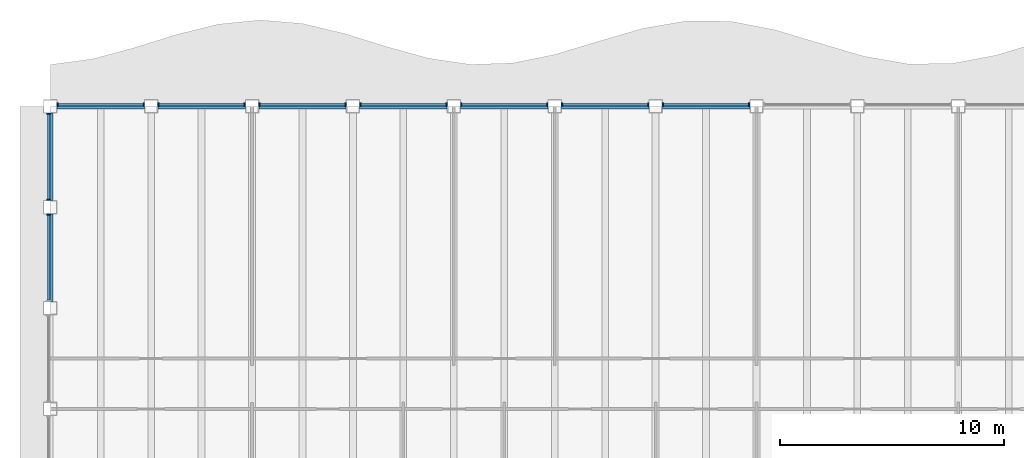
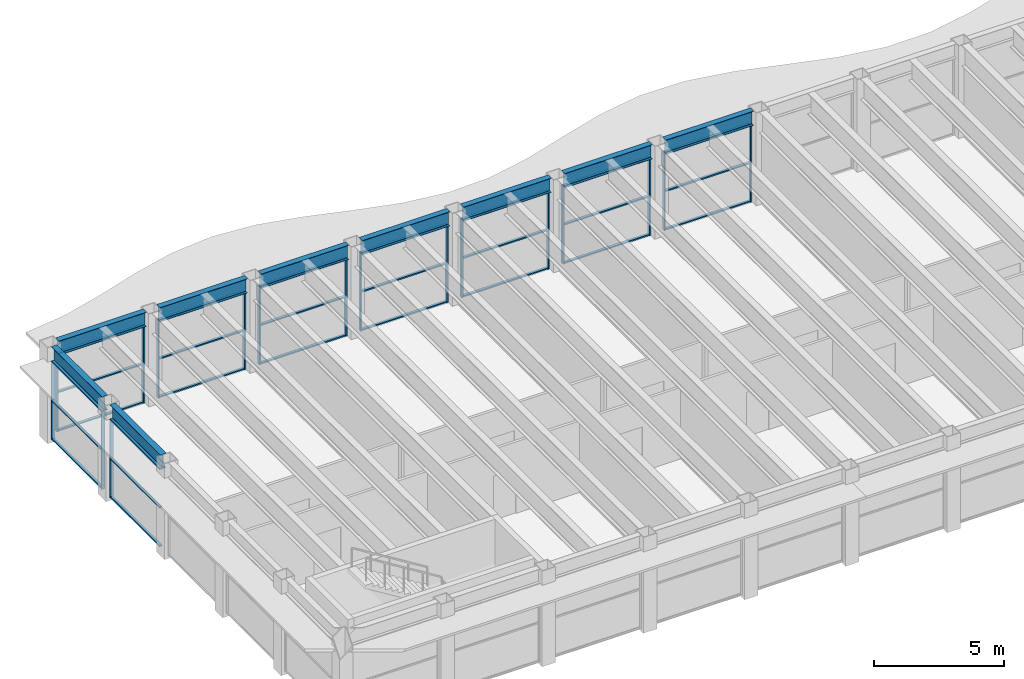
# One storey, part 4 of 14: 44 members, 9 beams, 9 elements without a shape of their own.
"""IFC4 building model written with IfcOpenShell, lengths in metres."""

from ifc_helpers import new_model, si_unit, direction, frame, origin, origin_2d, place, context, subcontext, project, spatial, rectangle, i_section, extrude, material, material_profile, profile_set, type_object, element, aggregate, save


model = new_model("IFC4")

# Units and contexts
model_context = context("Model", 3, precision=1e-05, world=origin(), true_north=direction((0.0, 1.0)))
body_context = subcontext(model_context, "Body", "Model", "MODEL_VIEW")
ifc_project = project(units=[si_unit("LENGTHUNIT", "METRE"), si_unit("AREAUNIT", "SQUARE_METRE"), si_unit("VOLUMEUNIT", "CUBIC_METRE"), si_unit("PLANEANGLEUNIT", "RADIAN"), si_unit("MASSUNIT", "GRAM", prefix="KILO")], contexts=[model_context])

# Site, building, storey
site_placement = place(None, origin())
site = spatial("IfcSite", under=ifc_project, at=site_placement, CompositionType="ELEMENT")
building_placement = place(site_placement, origin())
building = spatial("IfcBuilding", under=site, at=building_placement, Name="Sennacour Bend Tower", CompositionType="ELEMENT")
storey_placement = place(building_placement, frame((0.0, 0.0, 327.5)))
storey = spatial("IfcBuildingStorey", under=building, at=storey_placement, Name="L75", CompositionType="ELEMENT", Elevation=327.5)

# Curtain wall, members
ifc_material_1 = material(Name="Bronze anodised aluminium curtain wall with clear glass", Category="aluminium")
curtain_wall_type = type_object("IfcCurtainWallType", Name="CURTAIN WALL EXEC", PredefinedType="NOTDEFINED", material=ifc_material_1)
curtain_wall_1_placement = place(storey_placement, origin())
curtain_wall_1 = element("IfcCurtainWall", 1, at=curtain_wall_1_placement, inside=storey, type_object=curtain_wall_type, Name="Executive floor glass wall L75", PredefinedType="NOTDEFINED")
ifc_material_2 = material(Name="Aluminium 6063-T6", Category="aluminium")
ifc_material_profile_1 = material_profile(ifc_material_2, rectangle(XDim=0.14990234375, YDim=0.06005859375, at=origin_2d()), Name="Aluminium 6063-T6", Category="aluminium")
ifc_profile_set_1 = profile_set([ifc_material_profile_1], Name="Aluminium 6063-T6")
member_type_1 = type_object("IfcMemberType", Name="CW-MULLION-150X60", PredefinedType="MULLION", material=ifc_profile_set_1)
member_1_placement = place(storey_placement, frame((31.169921875, 22.574951171875, 0.0), z_axis=(0.0, 0.0, 1.0), x_axis=(0.0, -1.0, 0.0)))
member_1 = element("IfcMember", 2, at=member_1_placement, type_object=member_type_1, Name="GW3 curtain wall mullion 1", PredefinedType="MULLION", context=body_context, shape_type="SweptSolid", body=[
    extrude(rectangle(XDim=0.14990234375, YDim=0.06005859375, at=origin_2d()), origin(), (0.0, 0.0, 1.0), 3.672119140625),
])
member_2_placement = place(storey_placement, frame((27.330078125, 22.574951171875, 0.0), z_axis=(0.0, 0.0, 1.0), x_axis=(0.0, -1.0, 0.0)))
member_2 = element("IfcMember", 3, at=member_2_placement, type_object=member_type_1, Name="GW3 curtain wall mullion 2", PredefinedType="MULLION", context=body_context, shape_type="SweptSolid", body=[
    extrude(rectangle(XDim=0.14990234375, YDim=0.06005859375, at=origin_2d()), origin(), (0.0, 0.0, 1.0), 3.672119140625),
])

curtain_wall_2_placement = place(storey_placement, origin())
curtain_wall_2 = element("IfcCurtainWall", 4, at=curtain_wall_2_placement, inside=storey, type_object=curtain_wall_type, Name="Executive floor glass wall L75", PredefinedType="NOTDEFINED")
member_3_placement = place(storey_placement, frame((26.669921875, 22.574951171875, 0.0), z_axis=(0.0, 0.0, 1.0), x_axis=(0.0, -1.0, 0.0)))
member_3 = element("IfcMember", 5, at=member_3_placement, type_object=member_type_1, Name="GW3 curtain wall mullion 1", PredefinedType="MULLION", context=body_context, shape_type="SweptSolid", body=[
    extrude(rectangle(XDim=0.14990234375, YDim=0.06005859375, at=origin_2d()), origin(), (0.0, 0.0, 1.0), 3.672119140625),
])
member_4_placement = place(storey_placement, frame((22.830078125, 22.574951171875, 0.0), z_axis=(0.0, 0.0, 1.0), x_axis=(0.0, -1.0, 0.0)))
member_4 = element("IfcMember", 6, at=member_4_placement, type_object=member_type_1, Name="GW3 curtain wall mullion 2", PredefinedType="MULLION", context=body_context, shape_type="SweptSolid", body=[
    extrude(rectangle(XDim=0.14990234375, YDim=0.06005859375, at=origin_2d()), origin(), (0.0, 0.0, 1.0), 3.672119140625),
])

curtain_wall_3_placement = place(storey_placement, origin())
curtain_wall_3 = element("IfcCurtainWall", 7, at=curtain_wall_3_placement, inside=storey, type_object=curtain_wall_type, Name="Executive floor glass wall L75", PredefinedType="NOTDEFINED")
member_5_placement = place(storey_placement, frame((22.169921875, 22.574951171875, 0.0), z_axis=(0.0, 0.0, 1.0), x_axis=(0.0, -1.0, 0.0)))
member_5 = element("IfcMember", 8, at=member_5_placement, type_object=member_type_1, Name="GW3 curtain wall mullion 1", PredefinedType="MULLION", context=body_context, shape_type="SweptSolid", body=[
    extrude(rectangle(XDim=0.14990234375, YDim=0.06005859375, at=origin_2d()), origin(), (0.0, 0.0, 1.0), 3.672119140625),
])
member_6_placement = place(storey_placement, frame((18.330078125, 22.574951171875, 0.0), z_axis=(0.0, 0.0, 1.0), x_axis=(0.0, -1.0, 0.0)))
member_6 = element("IfcMember", 9, at=member_6_placement, type_object=member_type_1, Name="GW3 curtain wall mullion 2", PredefinedType="MULLION", context=body_context, shape_type="SweptSolid", body=[
    extrude(rectangle(XDim=0.14990234375, YDim=0.06005859375, at=origin_2d()), origin(), (0.0, 0.0, 1.0), 3.672119140625),
])

curtain_wall_4_placement = place(storey_placement, origin())
curtain_wall_4 = element("IfcCurtainWall", 10, at=curtain_wall_4_placement, inside=storey, type_object=curtain_wall_type, Name="Executive floor glass wall L75", PredefinedType="NOTDEFINED")
member_7_placement = place(storey_placement, frame((17.669921875, 22.574951171875, 0.0), z_axis=(0.0, 0.0, 1.0), x_axis=(0.0, -1.0, 0.0)))
member_7 = element("IfcMember", 11, at=member_7_placement, type_object=member_type_1, Name="GW3 curtain wall mullion 1", PredefinedType="MULLION", context=body_context, shape_type="SweptSolid", body=[
    extrude(rectangle(XDim=0.14990234375, YDim=0.06005859375, at=origin_2d()), origin(), (0.0, 0.0, 1.0), 3.672119140625),
])
member_8_placement = place(storey_placement, frame((13.830078125, 22.574951171875, 0.0), z_axis=(0.0, 0.0, 1.0), x_axis=(0.0, -1.0, 0.0)))
member_8 = element("IfcMember", 12, at=member_8_placement, type_object=member_type_1, Name="GW3 curtain wall mullion 2", PredefinedType="MULLION", context=body_context, shape_type="SweptSolid", body=[
    extrude(rectangle(XDim=0.14990234375, YDim=0.06005859375, at=origin_2d()), origin(), (0.0, 0.0, 1.0), 3.672119140625),
])

curtain_wall_5_placement = place(storey_placement, origin())
curtain_wall_5 = element("IfcCurtainWall", 13, at=curtain_wall_5_placement, inside=storey, type_object=curtain_wall_type, Name="Executive floor glass wall L75", PredefinedType="NOTDEFINED")
member_9_placement = place(storey_placement, frame((13.169921875, 22.574951171875, 0.0), z_axis=(0.0, 0.0, 1.0), x_axis=(0.0, -1.0, 0.0)))
member_9 = element("IfcMember", 14, at=member_9_placement, type_object=member_type_1, Name="GW3 curtain wall mullion 1", PredefinedType="MULLION", context=body_context, shape_type="SweptSolid", body=[
    extrude(rectangle(XDim=0.14990234375, YDim=0.06005859375, at=origin_2d()), origin(), (0.0, 0.0, 1.0), 3.672119140625),
])
member_10_placement = place(storey_placement, frame((9.330078125, 22.574951171875, 0.0), z_axis=(0.0, 0.0, 1.0), x_axis=(0.0, -1.0, 0.0)))
member_10 = element("IfcMember", 15, at=member_10_placement, type_object=member_type_1, Name="GW3 curtain wall mullion 2", PredefinedType="MULLION", context=body_context, shape_type="SweptSolid", body=[
    extrude(rectangle(XDim=0.14990234375, YDim=0.06005859375, at=origin_2d()), origin(), (0.0, 0.0, 1.0), 3.672119140625),
])

curtain_wall_6_placement = place(storey_placement, origin())
curtain_wall_6 = element("IfcCurtainWall", 16, at=curtain_wall_6_placement, inside=storey, type_object=curtain_wall_type, Name="Executive floor glass wall L75", PredefinedType="NOTDEFINED")
member_11_placement = place(storey_placement, frame((8.669921875, 22.574951171875, 0.0), z_axis=(0.0, 0.0, 1.0), x_axis=(0.0, -1.0, 0.0)))
member_11 = element("IfcMember", 17, at=member_11_placement, type_object=member_type_1, Name="GW3 curtain wall mullion 1", PredefinedType="MULLION", context=body_context, shape_type="SweptSolid", body=[
    extrude(rectangle(XDim=0.14990234375, YDim=0.06005859375, at=origin_2d()), origin(), (0.0, 0.0, 1.0), 3.672119140625),
])
member_12_placement = place(storey_placement, frame((4.830078125, 22.574951171875, 0.0), z_axis=(0.0, 0.0, 1.0), x_axis=(0.0, -1.0, 0.0)))
member_12 = element("IfcMember", 18, at=member_12_placement, type_object=member_type_1, Name="GW3 curtain wall mullion 2", PredefinedType="MULLION", context=body_context, shape_type="SweptSolid", body=[
    extrude(rectangle(XDim=0.14990234375, YDim=0.06005859375, at=origin_2d()), origin(), (0.0, 0.0, 1.0), 3.672119140625),
])

curtain_wall_7_placement = place(storey_placement, origin())
curtain_wall_7 = element("IfcCurtainWall", 19, at=curtain_wall_7_placement, inside=storey, type_object=curtain_wall_type, Name="Executive floor glass wall L75", PredefinedType="NOTDEFINED")
member_13_placement = place(storey_placement, frame((4.169921875, 22.574951171875, 0.0), z_axis=(0.0, 0.0, 1.0), x_axis=(0.0, -1.0, 0.0)))
member_13 = element("IfcMember", 20, at=member_13_placement, type_object=member_type_1, Name="GW3 curtain wall mullion 1", PredefinedType="MULLION", context=body_context, shape_type="SweptSolid", body=[
    extrude(rectangle(XDim=0.14990234375, YDim=0.06005859375, at=origin_2d()), origin(), (0.0, 0.0, 1.0), 3.672119140625),
])
member_14_placement = place(storey_placement, frame((0.330078125, 22.574951171875, 0.0), z_axis=(0.0, 0.0, 1.0), x_axis=(0.0, -1.0, 0.0)))
member_14 = element("IfcMember", 21, at=member_14_placement, type_object=member_type_1, Name="GW3 curtain wall mullion 2", PredefinedType="MULLION", context=body_context, shape_type="SweptSolid", body=[
    extrude(rectangle(XDim=0.14990234375, YDim=0.06005859375, at=origin_2d()), origin(), (0.0, 0.0, 1.0), 3.672119140625),
])

curtain_wall_8_placement = place(storey_placement, origin())
curtain_wall_8 = element("IfcCurtainWall", 22, at=curtain_wall_8_placement, inside=storey, type_object=curtain_wall_type, Name="Executive floor glass wall L75", PredefinedType="NOTDEFINED")
member_15_placement = place(storey_placement, frame((-0.074951171875, 22.169921875, 0.0), z_axis=(0.0, 0.0, 1.0), x_axis=(1.0, 0.0, 0.0)))
member_15 = element("IfcMember", 23, at=member_15_placement, type_object=member_type_1, Name="GW3 curtain wall mullion 1", PredefinedType="MULLION", context=body_context, shape_type="SweptSolid", body=[
    extrude(rectangle(XDim=0.14990234375, YDim=0.06005859375, at=origin_2d()), origin(), (0.0, 0.0, 1.0), 3.672119140625),
])
member_16_placement = place(storey_placement, frame((-0.074951171875, 18.330078125, 0.0), z_axis=(0.0, 0.0, 1.0), x_axis=(1.0, 0.0, 0.0)))
member_16 = element("IfcMember", 24, at=member_16_placement, type_object=member_type_1, Name="GW3 curtain wall mullion 2", PredefinedType="MULLION", context=body_context, shape_type="SweptSolid", body=[
    extrude(rectangle(XDim=0.14990234375, YDim=0.06005859375, at=origin_2d()), origin(), (0.0, 0.0, 1.0), 3.672119140625),
])

# Curtain wall, member
curtain_wall_9_placement = place(storey_placement, origin())
curtain_wall_9 = element("IfcCurtainWall", 25, at=curtain_wall_9_placement, inside=storey, type_object=curtain_wall_type, Name="Executive floor glass wall L75", PredefinedType="NOTDEFINED")
member_17_placement = place(storey_placement, frame((-0.074951171875, 17.669921875, 0.0), z_axis=(0.0, 0.0, 1.0), x_axis=(1.0, 0.0, 0.0)))
member_17 = element("IfcMember", 26, at=member_17_placement, type_object=member_type_1, Name="GW3 curtain wall mullion 1", PredefinedType="MULLION", context=body_context, shape_type="SweptSolid", body=[
    extrude(rectangle(XDim=0.14990234375, YDim=0.06005859375, at=origin_2d()), origin(), (0.0, 0.0, 1.0), 3.672119140625),
])

# Member
ifc_material_profile_2 = material_profile(ifc_material_2, rectangle(XDim=0.1201171875, YDim=0.06005859375, at=origin_2d()), Name="Aluminium 6063-T6", Category="aluminium")
ifc_profile_set_2 = profile_set([ifc_material_profile_2], Name="Aluminium 6063-T6")
member_type_2 = type_object("IfcMemberType", Name="CW-TRANSOM-120X60", PredefinedType="USERDEFINED", material=ifc_profile_set_2)
member_18_placement = place(storey_placement, frame((31.139892578125, 22.574951171875, 0.030029296875), z_axis=(-1.0, 0.0, 0.0), x_axis=(0.0, -1.0, 0.0)))
member_18 = element("IfcMember", 27, at=member_18_placement, type_object=member_type_2, Name="GW3 curtain wall transom 1.1", ObjectType="TRANSOM", PredefinedType="USERDEFINED", context=body_context, shape_type="SweptSolid", body=[
    extrude(rectangle(XDim=0.1201171875, YDim=0.06005859375, at=origin_2d()), origin(), (0.0, 0.0, 1.0), 3.77978515625),
])

member_19_placement = place(storey_placement, frame((31.139892578125, 22.574951171875, 1.8359375), z_axis=(-1.0, 0.0, 0.0), x_axis=(0.0, -1.0, 0.0)))
member_19 = element("IfcMember", 28, at=member_19_placement, type_object=member_type_2, Name="GW3 curtain wall transom 1.2", ObjectType="TRANSOM", PredefinedType="USERDEFINED", context=body_context, shape_type="SweptSolid", body=[
    extrude(rectangle(XDim=0.1201171875, YDim=0.06005859375, at=origin_2d()), origin(), (0.0, 0.0, 1.0), 3.77978515625),
])

member_20_placement = place(storey_placement, frame((31.139892578125, 22.574951171875, 3.64208984375), z_axis=(-1.0, 0.0, 0.0), x_axis=(0.0, -1.0, 0.0)))
member_20 = element("IfcMember", 29, at=member_20_placement, type_object=member_type_2, Name="GW3 curtain wall transom 1.3", ObjectType="TRANSOM", PredefinedType="USERDEFINED", context=body_context, shape_type="SweptSolid", body=[
    extrude(rectangle(XDim=0.1201171875, YDim=0.06005859375, at=origin_2d()), origin(), (0.0, 0.0, 1.0), 3.77978515625),
])

aggregate(curtain_wall_1, [member_1, member_2, member_18, member_19, member_20])

member_21_placement = place(storey_placement, frame((26.639892578125, 22.574951171875, 0.030029296875), z_axis=(-1.0, 0.0, 0.0), x_axis=(0.0, -1.0, 0.0)))
member_21 = element("IfcMember", 30, at=member_21_placement, type_object=member_type_2, Name="GW3 curtain wall transom 1.1", ObjectType="TRANSOM", PredefinedType="USERDEFINED", context=body_context, shape_type="SweptSolid", body=[
    extrude(rectangle(XDim=0.1201171875, YDim=0.06005859375, at=origin_2d()), origin(), (0.0, 0.0, 1.0), 3.77978515625),
])

member_22_placement = place(storey_placement, frame((26.639892578125, 22.574951171875, 1.8359375), z_axis=(-1.0, 0.0, 0.0), x_axis=(0.0, -1.0, 0.0)))
member_22 = element("IfcMember", 31, at=member_22_placement, type_object=member_type_2, Name="GW3 curtain wall transom 1.2", ObjectType="TRANSOM", PredefinedType="USERDEFINED", context=body_context, shape_type="SweptSolid", body=[
    extrude(rectangle(XDim=0.1201171875, YDim=0.06005859375, at=origin_2d()), origin(), (0.0, 0.0, 1.0), 3.77978515625),
])

member_23_placement = place(storey_placement, frame((26.639892578125, 22.574951171875, 3.64208984375), z_axis=(-1.0, 0.0, 0.0), x_axis=(0.0, -1.0, 0.0)))
member_23 = element("IfcMember", 32, at=member_23_placement, type_object=member_type_2, Name="GW3 curtain wall transom 1.3", ObjectType="TRANSOM", PredefinedType="USERDEFINED", context=body_context, shape_type="SweptSolid", body=[
    extrude(rectangle(XDim=0.1201171875, YDim=0.06005859375, at=origin_2d()), origin(), (0.0, 0.0, 1.0), 3.77978515625),
])

aggregate(curtain_wall_2, [member_3, member_4, member_21, member_22, member_23])

member_24_placement = place(storey_placement, frame((22.139892578125, 22.574951171875, 0.030029296875), z_axis=(-1.0, 0.0, 0.0), x_axis=(0.0, -1.0, 0.0)))
member_24 = element("IfcMember", 33, at=member_24_placement, type_object=member_type_2, Name="GW3 curtain wall transom 1.1", ObjectType="TRANSOM", PredefinedType="USERDEFINED", context=body_context, shape_type="SweptSolid", body=[
    extrude(rectangle(XDim=0.1201171875, YDim=0.06005859375, at=origin_2d()), origin(), (0.0, 0.0, 1.0), 3.77978515625),
])

member_25_placement = place(storey_placement, frame((22.139892578125, 22.574951171875, 1.8359375), z_axis=(-1.0, 0.0, 0.0), x_axis=(0.0, -1.0, 0.0)))
member_25 = element("IfcMember", 34, at=member_25_placement, type_object=member_type_2, Name="GW3 curtain wall transom 1.2", ObjectType="TRANSOM", PredefinedType="USERDEFINED", context=body_context, shape_type="SweptSolid", body=[
    extrude(rectangle(XDim=0.1201171875, YDim=0.06005859375, at=origin_2d()), origin(), (0.0, 0.0, 1.0), 3.77978515625),
])

member_26_placement = place(storey_placement, frame((22.139892578125, 22.574951171875, 3.64208984375), z_axis=(-1.0, 0.0, 0.0), x_axis=(0.0, -1.0, 0.0)))
member_26 = element("IfcMember", 35, at=member_26_placement, type_object=member_type_2, Name="GW3 curtain wall transom 1.3", ObjectType="TRANSOM", PredefinedType="USERDEFINED", context=body_context, shape_type="SweptSolid", body=[
    extrude(rectangle(XDim=0.1201171875, YDim=0.06005859375, at=origin_2d()), origin(), (0.0, 0.0, 1.0), 3.77978515625),
])

aggregate(curtain_wall_3, [member_5, member_6, member_24, member_25, member_26])

member_27_placement = place(storey_placement, frame((17.639892578125, 22.574951171875, 0.030029296875), z_axis=(-1.0, 0.0, 0.0), x_axis=(0.0, -1.0, 0.0)))
member_27 = element("IfcMember", 36, at=member_27_placement, type_object=member_type_2, Name="GW3 curtain wall transom 1.1", ObjectType="TRANSOM", PredefinedType="USERDEFINED", context=body_context, shape_type="SweptSolid", body=[
    extrude(rectangle(XDim=0.1201171875, YDim=0.06005859375, at=origin_2d()), origin(), (0.0, 0.0, 1.0), 3.77978515625),
])

member_28_placement = place(storey_placement, frame((17.639892578125, 22.574951171875, 1.8359375), z_axis=(-1.0, 0.0, 0.0), x_axis=(0.0, -1.0, 0.0)))
member_28 = element("IfcMember", 37, at=member_28_placement, type_object=member_type_2, Name="GW3 curtain wall transom 1.2", ObjectType="TRANSOM", PredefinedType="USERDEFINED", context=body_context, shape_type="SweptSolid", body=[
    extrude(rectangle(XDim=0.1201171875, YDim=0.06005859375, at=origin_2d()), origin(), (0.0, 0.0, 1.0), 3.77978515625),
])

member_29_placement = place(storey_placement, frame((17.639892578125, 22.574951171875, 3.64208984375), z_axis=(-1.0, 0.0, 0.0), x_axis=(0.0, -1.0, 0.0)))
member_29 = element("IfcMember", 38, at=member_29_placement, type_object=member_type_2, Name="GW3 curtain wall transom 1.3", ObjectType="TRANSOM", PredefinedType="USERDEFINED", context=body_context, shape_type="SweptSolid", body=[
    extrude(rectangle(XDim=0.1201171875, YDim=0.06005859375, at=origin_2d()), origin(), (0.0, 0.0, 1.0), 3.77978515625),
])

aggregate(curtain_wall_4, [member_7, member_8, member_27, member_28, member_29])

member_30_placement = place(storey_placement, frame((13.139892578125, 22.574951171875, 0.030029296875), z_axis=(-1.0, 0.0, 0.0), x_axis=(0.0, -1.0, 0.0)))
member_30 = element("IfcMember", 39, at=member_30_placement, type_object=member_type_2, Name="GW3 curtain wall transom 1.1", ObjectType="TRANSOM", PredefinedType="USERDEFINED", context=body_context, shape_type="SweptSolid", body=[
    extrude(rectangle(XDim=0.1201171875, YDim=0.06005859375, at=origin_2d()), origin(), (0.0, 0.0, 1.0), 3.77978515625),
])

member_31_placement = place(storey_placement, frame((13.139892578125, 22.574951171875, 1.8359375), z_axis=(-1.0, 0.0, 0.0), x_axis=(0.0, -1.0, 0.0)))
member_31 = element("IfcMember", 40, at=member_31_placement, type_object=member_type_2, Name="GW3 curtain wall transom 1.2", ObjectType="TRANSOM", PredefinedType="USERDEFINED", context=body_context, shape_type="SweptSolid", body=[
    extrude(rectangle(XDim=0.1201171875, YDim=0.06005859375, at=origin_2d()), origin(), (0.0, 0.0, 1.0), 3.77978515625),
])

member_32_placement = place(storey_placement, frame((13.139892578125, 22.574951171875, 3.64208984375), z_axis=(-1.0, 0.0, 0.0), x_axis=(0.0, -1.0, 0.0)))
member_32 = element("IfcMember", 41, at=member_32_placement, type_object=member_type_2, Name="GW3 curtain wall transom 1.3", ObjectType="TRANSOM", PredefinedType="USERDEFINED", context=body_context, shape_type="SweptSolid", body=[
    extrude(rectangle(XDim=0.1201171875, YDim=0.06005859375, at=origin_2d()), origin(), (0.0, 0.0, 1.0), 3.77978515625),
])

aggregate(curtain_wall_5, [member_9, member_10, member_30, member_31, member_32])

member_33_placement = place(storey_placement, frame((8.639892578125, 22.574951171875, 0.030029296875), z_axis=(-1.0, 0.0, 0.0), x_axis=(0.0, -1.0, 0.0)))
member_33 = element("IfcMember", 42, at=member_33_placement, type_object=member_type_2, Name="GW3 curtain wall transom 1.1", ObjectType="TRANSOM", PredefinedType="USERDEFINED", context=body_context, shape_type="SweptSolid", body=[
    extrude(rectangle(XDim=0.1201171875, YDim=0.06005859375, at=origin_2d()), origin(), (0.0, 0.0, 1.0), 3.77978515625),
])

member_34_placement = place(storey_placement, frame((8.639892578125, 22.574951171875, 1.8359375), z_axis=(-1.0, 0.0, 0.0), x_axis=(0.0, -1.0, 0.0)))
member_34 = element("IfcMember", 43, at=member_34_placement, type_object=member_type_2, Name="GW3 curtain wall transom 1.2", ObjectType="TRANSOM", PredefinedType="USERDEFINED", context=body_context, shape_type="SweptSolid", body=[
    extrude(rectangle(XDim=0.1201171875, YDim=0.06005859375, at=origin_2d()), origin(), (0.0, 0.0, 1.0), 3.77978515625),
])

member_35_placement = place(storey_placement, frame((8.639892578125, 22.574951171875, 3.64208984375), z_axis=(-1.0, 0.0, 0.0), x_axis=(0.0, -1.0, 0.0)))
member_35 = element("IfcMember", 44, at=member_35_placement, type_object=member_type_2, Name="GW3 curtain wall transom 1.3", ObjectType="TRANSOM", PredefinedType="USERDEFINED", context=body_context, shape_type="SweptSolid", body=[
    extrude(rectangle(XDim=0.1201171875, YDim=0.06005859375, at=origin_2d()), origin(), (0.0, 0.0, 1.0), 3.77978515625),
])

aggregate(curtain_wall_6, [member_11, member_12, member_33, member_34, member_35])

member_36_placement = place(storey_placement, frame((4.139892578125, 22.574951171875, 0.030029296875), z_axis=(-1.0, 0.0, 0.0), x_axis=(0.0, -1.0, 0.0)))
member_36 = element("IfcMember", 45, at=member_36_placement, type_object=member_type_2, Name="GW3 curtain wall transom 1.1", ObjectType="TRANSOM", PredefinedType="USERDEFINED", context=body_context, shape_type="SweptSolid", body=[
    extrude(rectangle(XDim=0.1201171875, YDim=0.06005859375, at=origin_2d()), origin(), (0.0, 0.0, 1.0), 3.77978515625),
])

member_37_placement = place(storey_placement, frame((4.139892578125, 22.574951171875, 1.8359375), z_axis=(-1.0, 0.0, 0.0), x_axis=(0.0, -1.0, 0.0)))
member_37 = element("IfcMember", 46, at=member_37_placement, type_object=member_type_2, Name="GW3 curtain wall transom 1.2", ObjectType="TRANSOM", PredefinedType="USERDEFINED", context=body_context, shape_type="SweptSolid", body=[
    extrude(rectangle(XDim=0.1201171875, YDim=0.06005859375, at=origin_2d()), origin(), (0.0, 0.0, 1.0), 3.77978515625),
])

member_38_placement = place(storey_placement, frame((4.139892578125, 22.574951171875, 3.64208984375), z_axis=(-1.0, 0.0, 0.0), x_axis=(0.0, -1.0, 0.0)))
member_38 = element("IfcMember", 47, at=member_38_placement, type_object=member_type_2, Name="GW3 curtain wall transom 1.3", ObjectType="TRANSOM", PredefinedType="USERDEFINED", context=body_context, shape_type="SweptSolid", body=[
    extrude(rectangle(XDim=0.1201171875, YDim=0.06005859375, at=origin_2d()), origin(), (0.0, 0.0, 1.0), 3.77978515625),
])

aggregate(curtain_wall_7, [member_13, member_14, member_36, member_37, member_38])

member_39_placement = place(storey_placement, frame((-0.074951171875, 22.139892578125, 0.030029296875), z_axis=(0.0, -1.0, 0.0), x_axis=(1.0, 0.0, 0.0)))
member_39 = element("IfcMember", 48, at=member_39_placement, type_object=member_type_2, Name="GW3 curtain wall transom 1.1", ObjectType="TRANSOM", PredefinedType="USERDEFINED", context=body_context, shape_type="SweptSolid", body=[
    extrude(rectangle(XDim=0.1201171875, YDim=0.06005859375, at=origin_2d()), origin(), (0.0, 0.0, 1.0), 3.77978515625),
])

member_40_placement = place(storey_placement, frame((-0.074951171875, 22.139892578125, 1.8359375), z_axis=(0.0, -1.0, 0.0), x_axis=(1.0, 0.0, 0.0)))
member_40 = element("IfcMember", 49, at=member_40_placement, type_object=member_type_2, Name="GW3 curtain wall transom 1.2", ObjectType="TRANSOM", PredefinedType="USERDEFINED", context=body_context, shape_type="SweptSolid", body=[
    extrude(rectangle(XDim=0.1201171875, YDim=0.06005859375, at=origin_2d()), origin(), (0.0, 0.0, 1.0), 3.77978515625),
])

member_41_placement = place(storey_placement, frame((-0.074951171875, 22.139892578125, 3.64208984375), z_axis=(0.0, -1.0, 0.0), x_axis=(1.0, 0.0, 0.0)))
member_41 = element("IfcMember", 50, at=member_41_placement, type_object=member_type_2, Name="GW3 curtain wall transom 1.3", ObjectType="TRANSOM", PredefinedType="USERDEFINED", context=body_context, shape_type="SweptSolid", body=[
    extrude(rectangle(XDim=0.1201171875, YDim=0.06005859375, at=origin_2d()), origin(), (0.0, 0.0, 1.0), 3.77978515625),
])

aggregate(curtain_wall_8, [member_15, member_16, member_39, member_40, member_41])

member_42_placement = place(storey_placement, frame((-0.074951171875, 17.639892578125, 0.030029296875), z_axis=(0.0, -1.0, 0.0), x_axis=(1.0, 0.0, 0.0)))
member_42 = element("IfcMember", 51, at=member_42_placement, type_object=member_type_2, Name="GW3 curtain wall transom 1.1", ObjectType="TRANSOM", PredefinedType="USERDEFINED", context=body_context, shape_type="SweptSolid", body=[
    extrude(rectangle(XDim=0.1201171875, YDim=0.06005859375, at=origin_2d()), origin(), (0.0, 0.0, 1.0), 3.77978515625),
])

member_43_placement = place(storey_placement, frame((-0.074951171875, 17.639892578125, 1.8359375), z_axis=(0.0, -1.0, 0.0), x_axis=(1.0, 0.0, 0.0)))
member_43 = element("IfcMember", 52, at=member_43_placement, type_object=member_type_2, Name="GW3 curtain wall transom 1.2", ObjectType="TRANSOM", PredefinedType="USERDEFINED", context=body_context, shape_type="SweptSolid", body=[
    extrude(rectangle(XDim=0.1201171875, YDim=0.06005859375, at=origin_2d()), origin(), (0.0, 0.0, 1.0), 3.77978515625),
])

member_44_placement = place(storey_placement, frame((-0.074951171875, 17.639892578125, 3.64208984375), z_axis=(0.0, -1.0, 0.0), x_axis=(1.0, 0.0, 0.0)))
member_44 = element("IfcMember", 53, at=member_44_placement, type_object=member_type_2, Name="GW3 curtain wall transom 1.3", ObjectType="TRANSOM", PredefinedType="USERDEFINED", context=body_context, shape_type="SweptSolid", body=[
    extrude(rectangle(XDim=0.1201171875, YDim=0.06005859375, at=origin_2d()), origin(), (0.0, 0.0, 1.0), 3.77978515625),
])

aggregate(curtain_wall_9, [member_17, member_42, member_43, member_44])

# Beams
ifc_material_3 = material(Name="Steel ASTM A992 Grade 50", Category="steel")
ifc_material_profile_3 = material_profile(ifc_material_3, i_section(OverallWidth=0.25390625, OverallDepth=0.677978515625, WebThickness=0.01171875, FlangeThickness=0.016357421875, FilletRadius=0.01513671875, at=origin_2d()), Name="Steel ASTM A992 Grade 50", Category="steel")
ifc_profile_set_3 = profile_set([ifc_material_profile_3], Name="Steel ASTM A992 Grade 50")
beam_type = type_object("IfcBeamType", Name="Spandrel beam W690X125", PredefinedType="SPANDREL", material=ifc_profile_set_3)
for number, where, z_axis, x_axis, name in (
    (54, (0.0, 13.800048828125, 4.010986328125), (0.0, 1.0, 0.0), (-1.0, 0.0, 0.0), "Spandrel beam SP7 L76-004"),
    (55, (0.0, 18.300048828125, 4.010986328125), (0.0, 1.0, 0.0), (-1.0, 0.0, 0.0), "Spandrel beam SP7 L76-005"),
    (56, (0.300048828125, 22.5, 4.010986328125), (1.0, 0.0, 0.0), (0.0, 1.0, 0.0), "Spandrel beam SP7 L76-006"),
    (57, (4.800048828125, 22.5, 4.010986328125), (1.0, 0.0, 0.0), (0.0, 1.0, 0.0), "Spandrel beam SP7 L76-007"),
    (58, (9.300048828125, 22.5, 4.010986328125), (1.0, 0.0, 0.0), (0.0, 1.0, 0.0), "Spandrel beam SP7 L76-008"),
    (59, (13.800048828125, 22.5, 4.010986328125), (1.0, 0.0, 0.0), (0.0, 1.0, 0.0), "Spandrel beam SP7 L76-009"),
    (60, (18.300048828125, 22.5, 4.010986328125), (1.0, 0.0, 0.0), (0.0, 1.0, 0.0), "Spandrel beam SP7 L76-010"),
    (61, (22.800048828125, 22.5, 4.010986328125), (1.0, 0.0, 0.0), (0.0, 1.0, 0.0), "Spandrel beam SP7 L76-011"),
    (62, (27.300048828125, 22.5, 4.010986328125), (1.0, 0.0, 0.0), (0.0, 1.0, 0.0), "Spandrel beam SP7 L76-012"),
):
    element("IfcBeam", number, at=place(storey_placement, frame(where, z_axis=z_axis, x_axis=x_axis)), inside=storey, type_object=beam_type, Name=name, PredefinedType="SPANDREL", context=body_context, shape_type="SweptSolid", body=[
        extrude(i_section(OverallWidth=0.25390625, OverallDepth=0.677978515625, WebThickness=0.01171875, FlangeThickness=0.016357421875, FilletRadius=0.01513671875, at=origin_2d()), origin(), (0.0, 0.0, 1.0), 3.89990234375),
    ])

save(model, "model.ifc")
